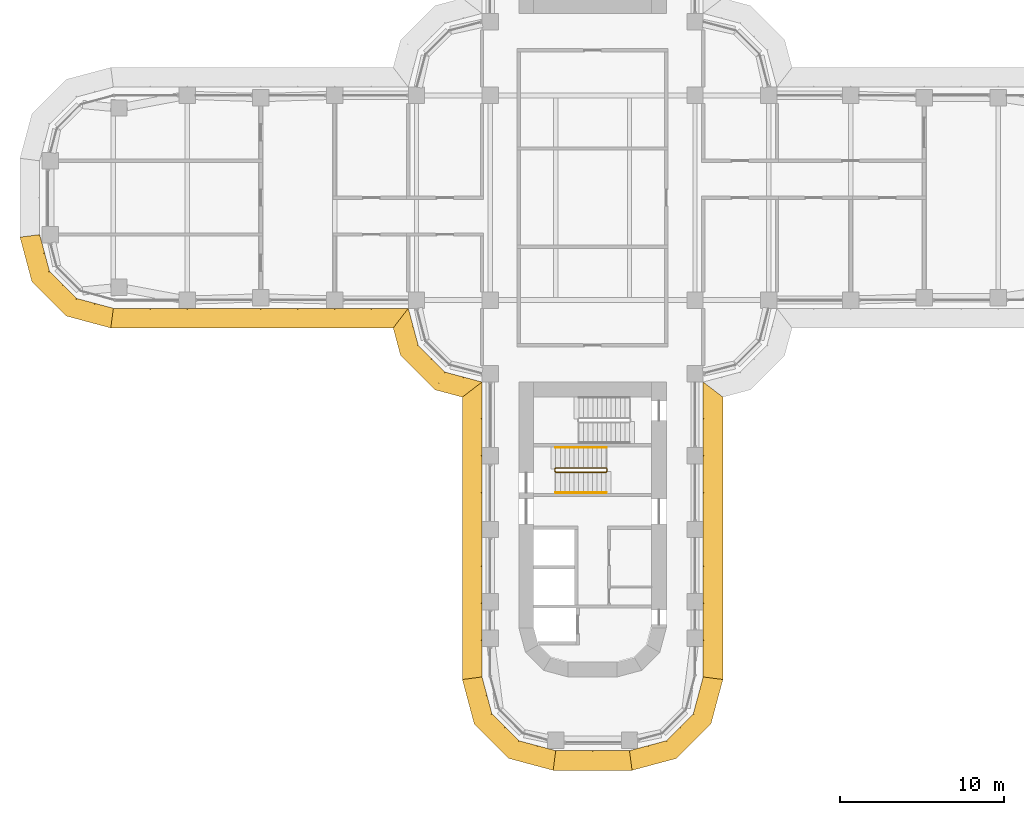
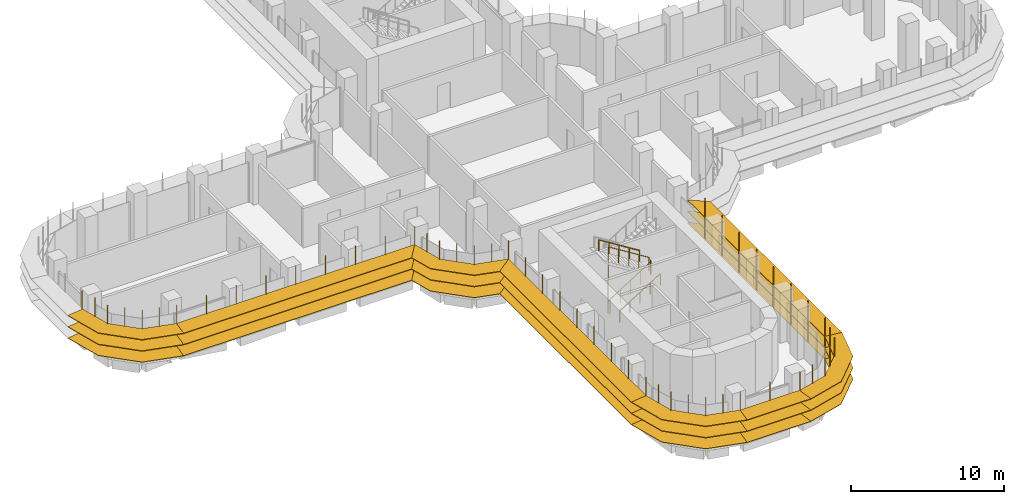
# One storey, part 20 of 23: 8 shading devices, 3 railings.
"""IFC4 building model written with IfcOpenShell, lengths in metres."""

from ifc_helpers import new_model, si_unit, direction, frame, origin, origin_2d, place, context, subcontext, project, spatial, polyline, circle, outline, extrude, faceted_brep, source, transform, mapped, material, type_object, element, save


model = new_model("IFC4")

# Units and contexts
model_context = context("Model", 3, precision=1e-05, world=origin(), true_north=direction((0.0, 1.0)))
body_context = subcontext(model_context, "Body", "Model", "MODEL_VIEW")
ifc_project = project(units=[si_unit("LENGTHUNIT", "METRE"), si_unit("AREAUNIT", "SQUARE_METRE"), si_unit("VOLUMEUNIT", "CUBIC_METRE"), si_unit("PLANEANGLEUNIT", "RADIAN"), si_unit("MASSUNIT", "GRAM", prefix="KILO")], contexts=[model_context])

# Site, building, storey
site_placement = place(None, origin())
site = spatial("IfcSite", under=ifc_project, at=site_placement, CompositionType="ELEMENT")
building_placement = place(site_placement, origin())
building = spatial("IfcBuilding", under=site, at=building_placement, Name="Zarbagh Exchange Tower", CompositionType="ELEMENT")
storey_placement = place(building_placement, frame((0.0, 0.0, 31.199951171875)))
storey = spatial("IfcBuildingStorey", under=building, at=storey_placement, Name="L06", CompositionType="ELEMENT", Elevation=31.199951171875)

# Railings
ifc_material_1 = material(Name="Stainless steel", Category="steel")
railing_type_1 = type_object("IfcRailingType", Name="Stair guard 1100 mm", PredefinedType="GUARDRAIL", material=ifc_material_1)
railing_1_placement = place(storey_placement, frame((0.830078125, -16.5, 2.275146484375)))
element("IfcRailing", 1, at=railing_1_placement, inside=storey, type_object=railing_type_1, Name="ST3 stair guard 1", PredefinedType="GUARDRAIL", context=body_context, shape_type="SweptSolid", body=[
    extrude(circle(Radius=0.02392578125, at=origin_2d()), frame((0.0, 0.0, 1.076171875), z_axis=(-0.848028513186, 0.0, 0.529950602248), x_axis=(0.0, -1.0, 0.0)), (0.0, 0.0, 1.0), 3.632080078125),
    extrude(circle(Radius=0.02392578125, at=origin_2d()), frame((-3.080078125, 0.0, 3.0009765625), z_axis=(-0.011914834358, -0.011914834358, -0.999858026644), x_axis=(0.707106781187, -0.707106781187, 0.0)), (0.0, 0.0, 1.0), 4.200439453125),
    extrude(circle(Radius=0.02392578125, at=origin_2d()), frame((-3.130126953125, -0.050048828125, -1.19921875), z_axis=(0.0, -1.0, 0.0), x_axis=(1.0, 0.0, 0.0)), (0.0, 0.0, 1.0), 0.14990234375),
    extrude(circle(Radius=0.02392578125, at=origin_2d()), frame((-3.130126953125, -0.199951171875, -1.19921875), z_axis=(0.265065253269, -0.265065253269, 0.927081885822), x_axis=(0.707106781187, 0.707106781187, 0.0)), (0.0, 0.0, 1.0), 0.188720703125),
    extrude(circle(Radius=0.02392578125, at=origin_2d()), frame((-3.080078125, -0.25, -1.02392578125), z_axis=(0.847998304005, 0.0, 0.529998940003), x_axis=(0.0, 1.0, 0.0)), (0.0, 0.0, 1.0), 3.632080078125),
    extrude(circle(Radius=0.02392578125, at=origin_2d()), frame((0.0, -0.25, 0.90087890625), z_axis=(0.705375805398, 0.708833529934, 0.0), x_axis=(-0.708833529934, 0.705375805398, 0.0)), (0.0, 0.0, 1.0), 0.070556640625),
    extrude(circle(Radius=0.02392578125, at=origin_2d()), frame((0.0498046875, -0.199951171875, 0.90087890625), z_axis=(0.0, 1.0, 0.0), x_axis=(-1.0, 0.0, 0.0)), (0.0, 0.0, 1.0), 0.14990234375),
    extrude(circle(Radius=0.02099609375, at=origin_2d()), origin(), (0.0, 0.0, 1.0), 1.052001953125),
    extrude(circle(Radius=0.02099609375, at=origin_2d()), frame((-0.77001953125, 0.0, 0.481201171875)), (0.0, 0.0, 1.0), 1.052001953125),
    extrude(circle(Radius=0.02099609375, at=origin_2d()), frame((-1.5400390625, 0.0, 0.96240234375)), (0.0, 0.0, 1.0), 1.052001953125),
    extrude(circle(Radius=0.02099609375, at=origin_2d()), frame((-2.31005859375, 0.0, 1.443603515625)), (0.0, 0.0, 1.0), 1.052001953125),
    extrude(circle(Radius=0.02099609375, at=origin_2d()), frame((-3.080078125, 0.0, 1.9248046875)), (0.0, 0.0, 1.0), 1.052001953125),
    extrude(circle(Radius=0.02099609375, at=origin_2d()), frame((-3.092529296875, -0.012451171875, 0.874755859375)), (0.0, 0.0, 1.0), 1.052001953125),
    extrude(circle(Radius=0.02099609375, at=origin_2d()), frame((-3.10498046875, -0.02490234375, -0.17529296875)), (0.0, 0.0, 1.0), 1.052001953125),
    extrude(circle(Radius=0.02099609375, at=origin_2d()), frame((-3.11767578125, -0.03759765625, -1.22509765625)), (0.0, 0.0, 1.0), 1.052001953125),
    extrude(circle(Radius=0.02099609375, at=origin_2d()), frame((-3.130126953125, -0.050048828125, -2.275146484375)), (0.0, 0.0, 1.0), 1.052001953125),
    extrude(circle(Radius=0.02099609375, at=origin_2d()), frame((-3.130126953125, -0.199951171875, -2.275146484375)), (0.0, 0.0, 1.0), 1.052001953125),
    extrude(circle(Radius=0.02099609375, at=origin_2d()), frame((-3.080078125, -0.25, -2.10009765625)), (0.0, 0.0, 1.0), 1.052001953125),
    extrude(circle(Radius=0.02099609375, at=origin_2d()), frame((-2.31005859375, -0.25, -1.618896484375)), (0.0, 0.0, 1.0), 1.052001953125),
    extrude(circle(Radius=0.02099609375, at=origin_2d()), frame((-1.5400390625, -0.25, -1.1376953125)), (0.0, 0.0, 1.0), 1.052001953125),
    extrude(circle(Radius=0.02099609375, at=origin_2d()), frame((-0.77001953125, -0.25, -0.65625)), (0.0, 0.0, 1.0), 1.052001953125),
    extrude(circle(Radius=0.02099609375, at=origin_2d()), frame((0.0, -0.25, -0.175048828125)), (0.0, 0.0, 1.0), 1.052001953125),
    extrude(circle(Radius=0.02099609375, at=origin_2d()), frame((0.0498046875, -0.199951171875, -0.175048828125)), (0.0, 0.0, 1.0), 1.052001953125),
    extrude(circle(Radius=0.02099609375, at=origin_2d()), frame((0.0498046875, -0.050048828125, -0.175048828125)), (0.0, 0.0, 1.0), 1.052001953125),
])
railing_type_2 = type_object("IfcRailingType", Name="Stair handrail 900 mm", PredefinedType="HANDRAIL", material=ifc_material_1)
railing_2_placement = place(storey_placement, frame((-2.25, -18.0, 0.175048828125)))
element("IfcRailing", 2, at=railing_2_placement, inside=storey, type_object=railing_type_2, Name="ST3 stair handrail 1", PredefinedType="HANDRAIL", context=body_context, shape_type="SweptSolid", body=[
    extrude(circle(Radius=0.02392578125, at=origin_2d()), frame((0.0, 0.0, 0.8759765625), z_axis=(0.847998304005, 0.0, 0.529998940003), x_axis=(0.0, 1.0, 0.0)), (0.0, 0.0, 1.0), 3.632080078125),
    extrude(circle(Radius=0.02099609375, at=origin_2d()), origin(), (0.0, 0.0, 1.0), 0.851806640625),
    extrude(circle(Radius=0.02099609375, at=origin_2d()), frame((0.77001953125, 0.0, 0.481201171875)), (0.0, 0.0, 1.0), 0.851806640625),
    extrude(circle(Radius=0.02099609375, at=origin_2d()), frame((1.5400390625, 0.0, 0.96240234375)), (0.0, 0.0, 1.0), 0.851806640625),
    extrude(circle(Radius=0.02099609375, at=origin_2d()), frame((2.31005859375, 0.0, 1.44384765625)), (0.0, 0.0, 1.0), 0.851806640625),
    extrude(circle(Radius=0.02099609375, at=origin_2d()), frame((3.080078125, 0.0, 1.925048828125)), (0.0, 0.0, 1.0), 0.851806640625),
])
railing_3_placement = place(storey_placement, frame((0.830078125, -15.25, 2.275146484375)))
element("IfcRailing", 3, at=railing_3_placement, inside=storey, type_object=railing_type_2, Name="ST3 stair handrail 2", PredefinedType="HANDRAIL", context=body_context, shape_type="SweptSolid", body=[
    extrude(circle(Radius=0.02392578125, at=origin_2d()), frame((0.0, 0.0, 0.8759765625), z_axis=(-0.848028513186, 0.0, 0.529950602248), x_axis=(0.0, -1.0, 0.0)), (0.0, 0.0, 1.0), 3.632080078125),
    extrude(circle(Radius=0.02099609375, at=origin_2d()), origin(), (0.0, 0.0, 1.0), 0.851806640625),
    extrude(circle(Radius=0.02099609375, at=origin_2d()), frame((-0.77001953125, 0.0, 0.481201171875)), (0.0, 0.0, 1.0), 0.851806640625),
    extrude(circle(Radius=0.02099609375, at=origin_2d()), frame((-1.5400390625, 0.0, 0.96240234375)), (0.0, 0.0, 1.0), 0.851806640625),
    extrude(circle(Radius=0.02099609375, at=origin_2d()), frame((-2.31005859375, 0.0, 1.443603515625)), (0.0, 0.0, 1.0), 0.851806640625),
    extrude(circle(Radius=0.02099609375, at=origin_2d()), frame((-3.080078125, 0.0, 1.9248046875)), (0.0, 0.0, 1.0), 0.851806640625),
])

# Shading devices
ifc_material_2 = material(Name="Anodised aluminium blades and brackets", Category="aluminium")
shading_device_type = type_object("IfcShadingDeviceType", Name="SUNSHADE louvre band, 0 degree blades", PredefinedType="JALOUSIE", material=ifc_material_2)
shared_shape_1 = source(origin(), body_context, "Body", "Brep", [
    faceted_brep([(0.0, 0.0, 0.0), (0.0, 0.0, -0.0400390625), (-0.157958984375, -1.199951171875, -0.0400390625), (-0.157958984375, -1.199951171875, 0.0), (2.65087890625, -1.199951171875, 0.0), (2.65087890625, -1.199951171875, -0.0400390625), (2.329345703125, 0.0, -0.0400390625), (2.329345703125, 0.0, 0.0)], [[[0, 1, 2, 3]], [[4, 5, 6, 7]], [[0, 7, 6, 1]], [[1, 6, 5, 2]], [[2, 5, 4, 3]], [[3, 4, 7, 0]]]),
])
shared_shape_2 = source(origin(), body_context, "Body", "Brep", [
    faceted_brep([(0.0, 0.0, 0.0), (0.0, 0.0, -0.0400390625), (-0.321533203125, -1.199951171875, -0.0400390625), (-0.321533203125, -1.199951171875, 0.0), (2.65087890625, -1.199951171875, 0.0), (2.65087890625, -1.199951171875, -0.0400390625), (2.329345703125, 0.0, -0.0400390625), (2.329345703125, 0.0, 0.0)], [[[0, 1, 2, 3]], [[4, 5, 6, 7]], [[0, 7, 6, 1]], [[1, 6, 5, 2]], [[2, 5, 4, 3]], [[3, 4, 7, 0]]]),
])
shared_shape_3 = source(origin(), body_context, "Body", "Brep", [
    faceted_brep([(0.0, 0.0, 0.0), (0.0, 0.0, -0.0400390625), (-0.321533203125, -1.199951171875, -0.0400390625), (-0.321533203125, -1.199951171875, 0.0), (2.4873046875, -1.199951171875, 0.0), (2.4873046875, -1.199951171875, -0.0400390625), (2.329345703125, 0.0, -0.0400390625), (2.329345703125, 0.0, 0.0)], [[[0, 1, 2, 3]], [[4, 5, 6, 7]], [[0, 7, 6, 1]], [[1, 6, 5, 2]], [[2, 5, 4, 3]], [[3, 4, 7, 0]]]),
])
shared_shape_4 = source(origin(), body_context, "Body", "SweptSolid", [
    extrude(outline(polyline([(0.0, -0.012451171875), (0.06005859375, -0.012451171875), (0.06005859375, 0.012451171875), (0.0, 0.012451171875), (0.0, -0.012451171875)])), origin(), (0.0, 0.0, 1.0), 3.35009765625),
])
placement = place(storey_placement, origin())
element("IfcShadingDevice", 4, at=placement, inside=storey, type_object=shading_device_type, Name="SS01 sunshade band", PredefinedType="JALOUSIE", context=body_context, shape_type="MappedRepresentation", body=[
    mapped(shared_shape_1, transform((2.25, -33.75, 2.699951171875), x_axis=(0.965924289636, 0.258824779902, 0.0), y_axis=(-0.258824779902, 0.965924289636, 0.0), z_axis=(0.0, 0.0, 1.0))),
    mapped(shared_shape_1, transform((2.25, -33.75, 1.800048828125), x_axis=(0.965924289636, 0.258824779902, 0.0), y_axis=(-0.258824779902, 0.965924289636, 0.0), z_axis=(0.0, 0.0, 1.0))),
    mapped(shared_shape_1, transform((2.25, -33.75, 0.900146484375), x_axis=(0.965924289636, 0.258824779902, 0.0), y_axis=(-0.258824779902, 0.965924289636, 0.0), z_axis=(0.0, 0.0, 1.0))),
    mapped(shared_shape_2, transform((4.5, -33.147216796875, 2.699951171875), x_axis=(0.707106781187, 0.707106781187, 0.0), y_axis=(-0.707106781187, 0.707106781187, 0.0), z_axis=(0.0, 0.0, 1.0))),
    mapped(shared_shape_2, transform((4.5, -33.147216796875, 1.800048828125), x_axis=(0.707106781187, 0.707106781187, 0.0), y_axis=(-0.707106781187, 0.707106781187, 0.0), z_axis=(0.0, 0.0, 1.0))),
    mapped(shared_shape_2, transform((4.5, -33.147216796875, 0.900146484375), x_axis=(0.707106781187, 0.707106781187, 0.0), y_axis=(-0.707106781187, 0.707106781187, 0.0), z_axis=(0.0, 0.0, 1.0))),
    mapped(shared_shape_3, transform((6.147216796875, -31.5, 2.699951171875), x_axis=(0.258824779902, 0.965924289636, 0.0), y_axis=(-0.965924289636, 0.258824779902, 0.0), z_axis=(0.0, 0.0, 1.0))),
    mapped(shared_shape_3, transform((6.147216796875, -31.5, 1.800048828125), x_axis=(0.258824779902, 0.965924289636, 0.0), y_axis=(-0.965924289636, 0.258824779902, 0.0), z_axis=(0.0, 0.0, 1.0))),
    mapped(shared_shape_3, transform((6.147216796875, -31.5, 0.900146484375), x_axis=(0.258824779902, 0.965924289636, 0.0), y_axis=(-0.965924289636, 0.258824779902, 0.0), z_axis=(0.0, 0.0, 1.0))),
    mapped(shared_shape_4, transform((2.25, -33.75, 0.830078125), x_axis=(0.130529263012, -0.991444457092, 0.0), y_axis=(0.991444457092, 0.130529263012, 0.0), z_axis=(0.0, 0.0, 1.0))),
    mapped(shared_shape_4, transform((3.375, -33.448486328125, 0.830078125), x_axis=(0.258825058029, -0.96592421511, 0.0), y_axis=(0.96592421511, 0.258825058029, 0.0), z_axis=(0.0, 0.0, 1.0))),
    mapped(shared_shape_4, transform((4.5, -33.147216796875, 0.830078125), x_axis=(0.50000275701, -0.866023812018, 0.0), y_axis=(0.866023812018, 0.50000275701, 0.0), z_axis=(0.0, 0.0, 1.0))),
    mapped(shared_shape_4, transform((5.323486328125, -32.323486328125, 0.830078125), x_axis=(0.707106781187, -0.707106781187, 0.0), y_axis=(0.707106781187, 0.707106781187, 0.0), z_axis=(0.0, 0.0, 1.0))),
    mapped(shared_shape_4, transform((6.147216796875, -31.5, 0.830078125), x_axis=(0.866023812018, -0.50000275701, 0.0), y_axis=(0.50000275701, 0.866023812018, 0.0), z_axis=(0.0, 0.0, 1.0))),
    mapped(shared_shape_4, transform((6.448486328125, -30.375, 0.830078125), x_axis=(0.96592421511, -0.258825058029, 0.0), y_axis=(0.258825058029, 0.96592421511, 0.0), z_axis=(0.0, 0.0, 1.0))),
])
element("IfcShadingDevice", 5, at=placement, inside=storey, type_object=shading_device_type, Name="SS19 sunshade band", PredefinedType="JALOUSIE", context=body_context, shape_type="MappedRepresentation", body=[
    mapped(shared_shape_1, transform((-33.75, -2.25, 2.699951171875), x_axis=(0.258824779902, -0.965924289636, 0.0), y_axis=(0.965924289636, 0.258824779902, 0.0), z_axis=(0.0, 0.0, 1.0))),
    mapped(shared_shape_1, transform((-33.75, -2.25, 1.800048828125), x_axis=(0.258824779902, -0.965924289636, 0.0), y_axis=(0.965924289636, 0.258824779902, 0.0), z_axis=(0.0, 0.0, 1.0))),
    mapped(shared_shape_1, transform((-33.75, -2.25, 0.900146484375), x_axis=(0.258824779902, -0.965924289636, 0.0), y_axis=(0.965924289636, 0.258824779902, 0.0), z_axis=(0.0, 0.0, 1.0))),
    mapped(shared_shape_2, transform((-33.147216796875, -4.5, 2.699951171875), x_axis=(0.707106781187, -0.707106781187, 0.0), y_axis=(0.707106781187, 0.707106781187, 0.0), z_axis=(0.0, 0.0, 1.0))),
    mapped(shared_shape_2, transform((-33.147216796875, -4.5, 1.800048828125), x_axis=(0.707106781187, -0.707106781187, 0.0), y_axis=(0.707106781187, 0.707106781187, 0.0), z_axis=(0.0, 0.0, 1.0))),
    mapped(shared_shape_2, transform((-33.147216796875, -4.5, 0.900146484375), x_axis=(0.707106781187, -0.707106781187, 0.0), y_axis=(0.707106781187, 0.707106781187, 0.0), z_axis=(0.0, 0.0, 1.0))),
    mapped(shared_shape_3, transform((-31.5, -6.147216796875, 2.699951171875), x_axis=(0.965924289636, -0.258824779902, 0.0), y_axis=(0.258824779902, 0.965924289636, 0.0), z_axis=(0.0, 0.0, 1.0))),
    mapped(shared_shape_3, transform((-31.5, -6.147216796875, 1.800048828125), x_axis=(0.965924289636, -0.258824779902, 0.0), y_axis=(0.258824779902, 0.965924289636, 0.0), z_axis=(0.0, 0.0, 1.0))),
    mapped(shared_shape_3, transform((-31.5, -6.147216796875, 0.900146484375), x_axis=(0.965924289636, -0.258824779902, 0.0), y_axis=(0.258824779902, 0.965924289636, 0.0), z_axis=(0.0, 0.0, 1.0))),
    mapped(shared_shape_4, transform((-33.75, -2.25, 0.830078125), x_axis=(-0.991444457092, -0.130529263012, 0.0), y_axis=(0.130529263012, -0.991444457092, 0.0), z_axis=(0.0, 0.0, 1.0))),
    mapped(shared_shape_4, transform((-33.448486328125, -3.375, 0.830078125), x_axis=(-0.96592421511, -0.258825058029, 0.0), y_axis=(0.258825058029, -0.96592421511, 0.0), z_axis=(0.0, 0.0, 1.0))),
    mapped(shared_shape_4, transform((-33.147216796875, -4.5, 0.830078125), x_axis=(-0.866023812018, -0.50000275701, 0.0), y_axis=(0.50000275701, -0.866023812018, 0.0), z_axis=(0.0, 0.0, 1.0))),
    mapped(shared_shape_4, transform((-32.323486328125, -5.323486328125, 0.830078125), x_axis=(-0.707106781187, -0.707106781187, 0.0), y_axis=(0.707106781187, -0.707106781187, 0.0), z_axis=(0.0, 0.0, 1.0))),
    mapped(shared_shape_4, transform((-31.5, -6.147216796875, 0.830078125), x_axis=(-0.50000275701, -0.866023812018, 0.0), y_axis=(0.866023812018, -0.50000275701, 0.0), z_axis=(0.0, 0.0, 1.0))),
    mapped(shared_shape_4, transform((-30.375, -6.448486328125, 0.830078125), x_axis=(-0.258825058029, -0.96592421511, 0.0), y_axis=(0.96592421511, -0.258825058029, 0.0), z_axis=(0.0, 0.0, 1.0))),
])
element("IfcShadingDevice", 6, at=placement, inside=storey, type_object=shading_device_type, Name="SS23 sunshade band", PredefinedType="JALOUSIE", context=body_context, shape_type="MappedRepresentation", body=[
    mapped(shared_shape_1, transform((-6.75, -29.25, 2.699951171875), x_axis=(0.258824779902, -0.965924289636, 0.0), y_axis=(0.965924289636, 0.258824779902, 0.0), z_axis=(0.0, 0.0, 1.0))),
    mapped(shared_shape_1, transform((-6.75, -29.25, 1.800048828125), x_axis=(0.258824779902, -0.965924289636, 0.0), y_axis=(0.965924289636, 0.258824779902, 0.0), z_axis=(0.0, 0.0, 1.0))),
    mapped(shared_shape_1, transform((-6.75, -29.25, 0.900146484375), x_axis=(0.258824779902, -0.965924289636, 0.0), y_axis=(0.965924289636, 0.258824779902, 0.0), z_axis=(0.0, 0.0, 1.0))),
    mapped(shared_shape_2, transform((-6.147216796875, -31.5, 2.699951171875), x_axis=(0.707106781187, -0.707106781187, 0.0), y_axis=(0.707106781187, 0.707106781187, 0.0), z_axis=(0.0, 0.0, 1.0))),
    mapped(shared_shape_2, transform((-6.147216796875, -31.5, 1.800048828125), x_axis=(0.707106781187, -0.707106781187, 0.0), y_axis=(0.707106781187, 0.707106781187, 0.0), z_axis=(0.0, 0.0, 1.0))),
    mapped(shared_shape_2, transform((-6.147216796875, -31.5, 0.900146484375), x_axis=(0.707106781187, -0.707106781187, 0.0), y_axis=(0.707106781187, 0.707106781187, 0.0), z_axis=(0.0, 0.0, 1.0))),
    mapped(shared_shape_3, transform((-4.5, -33.147216796875, 2.699951171875), x_axis=(0.965924289636, -0.258824779902, 0.0), y_axis=(0.258824779902, 0.965924289636, 0.0), z_axis=(0.0, 0.0, 1.0))),
    mapped(shared_shape_3, transform((-4.5, -33.147216796875, 1.800048828125), x_axis=(0.965924289636, -0.258824779902, 0.0), y_axis=(0.258824779902, 0.965924289636, 0.0), z_axis=(0.0, 0.0, 1.0))),
    mapped(shared_shape_3, transform((-4.5, -33.147216796875, 0.900146484375), x_axis=(0.965924289636, -0.258824779902, 0.0), y_axis=(0.258824779902, 0.965924289636, 0.0), z_axis=(0.0, 0.0, 1.0))),
    mapped(shared_shape_4, transform((-6.75, -29.25, 0.830078125), x_axis=(-0.991444457092, -0.130529263012, 0.0), y_axis=(0.130529263012, -0.991444457092, 0.0), z_axis=(0.0, 0.0, 1.0))),
    mapped(shared_shape_4, transform((-6.448486328125, -30.375, 0.830078125), x_axis=(-0.96592421511, -0.258825058029, 0.0), y_axis=(0.258825058029, -0.96592421511, 0.0), z_axis=(0.0, 0.0, 1.0))),
    mapped(shared_shape_4, transform((-6.147216796875, -31.5, 0.830078125), x_axis=(-0.866023812018, -0.50000275701, 0.0), y_axis=(0.50000275701, -0.866023812018, 0.0), z_axis=(0.0, 0.0, 1.0))),
    mapped(shared_shape_4, transform((-5.323486328125, -32.323486328125, 0.830078125), x_axis=(-0.707106781187, -0.707106781187, 0.0), y_axis=(0.707106781187, -0.707106781187, 0.0), z_axis=(0.0, 0.0, 1.0))),
    mapped(shared_shape_4, transform((-4.5, -33.147216796875, 0.830078125), x_axis=(-0.50000275701, -0.866023812018, 0.0), y_axis=(0.866023812018, -0.50000275701, 0.0), z_axis=(0.0, 0.0, 1.0))),
    mapped(shared_shape_4, transform((-3.375, -33.448486328125, 0.830078125), x_axis=(-0.258825058029, -0.96592421511, 0.0), y_axis=(0.96592421511, -0.258825058029, 0.0), z_axis=(0.0, 0.0, 1.0))),
])
shared_shape_5 = source(origin(), body_context, "Body", "Brep", [
    faceted_brep([(0.0, 0.0, 0.0), (0.0, 0.0, -0.0400390625), (0.9208984375, -1.199951171875, -0.0400390625), (0.9208984375, -1.199951171875, 0.0), (2.65087890625, -1.199951171875, 0.0), (2.65087890625, -1.199951171875, -0.0400390625), (2.329345703125, 0.0, -0.0400390625), (2.329345703125, 0.0, 0.0)], [[[0, 1, 2, 3]], [[4, 5, 6, 7]], [[0, 7, 6, 1]], [[1, 6, 5, 2]], [[2, 5, 4, 3]], [[3, 4, 7, 0]]]),
])
shared_shape_6 = source(origin(), body_context, "Body", "Brep", [
    faceted_brep([(0.0, 0.0, 0.0), (0.0, 0.0, -0.0400390625), (-0.321533203125, -1.199951171875, -0.0400390625), (-0.321533203125, -1.199951171875, 0.0), (1.40869140625, -1.199951171875, 0.0), (1.40869140625, -1.199951171875, -0.0400390625), (2.329345703125, 0.0, -0.0400390625), (2.329345703125, 0.0, 0.0)], [[[0, 1, 2, 3]], [[4, 5, 6, 7]], [[0, 7, 6, 1]], [[1, 6, 5, 2]], [[2, 5, 4, 3]], [[3, 4, 7, 0]]]),
])
element("IfcShadingDevice", 7, at=placement, inside=storey, type_object=shading_device_type, Name="SS21 sunshade band", PredefinedType="JALOUSIE", context=body_context, shape_type="MappedRepresentation", body=[
    mapped(shared_shape_5, transform((-11.25, -6.75, 2.699951171875), x_axis=(0.258824779902, -0.965924289636, 0.0), y_axis=(0.965924289636, 0.258824779902, 0.0), z_axis=(0.0, 0.0, 1.0))),
    mapped(shared_shape_5, transform((-11.25, -6.75, 1.800048828125), x_axis=(0.258824779902, -0.965924289636, 0.0), y_axis=(0.965924289636, 0.258824779902, 0.0), z_axis=(0.0, 0.0, 1.0))),
    mapped(shared_shape_5, transform((-11.25, -6.75, 0.900146484375), x_axis=(0.258824779902, -0.965924289636, 0.0), y_axis=(0.965924289636, 0.258824779902, 0.0), z_axis=(0.0, 0.0, 1.0))),
    mapped(shared_shape_2, transform((-10.647216796875, -9.0, 2.699951171875), x_axis=(0.707106781187, -0.707106781187, 0.0), y_axis=(0.707106781187, 0.707106781187, 0.0), z_axis=(0.0, 0.0, 1.0))),
    mapped(shared_shape_2, transform((-10.647216796875, -9.0, 1.800048828125), x_axis=(0.707106781187, -0.707106781187, 0.0), y_axis=(0.707106781187, 0.707106781187, 0.0), z_axis=(0.0, 0.0, 1.0))),
    mapped(shared_shape_2, transform((-10.647216796875, -9.0, 0.900146484375), x_axis=(0.707106781187, -0.707106781187, 0.0), y_axis=(0.707106781187, 0.707106781187, 0.0), z_axis=(0.0, 0.0, 1.0))),
    mapped(shared_shape_6, transform((-9.0, -10.647216796875, 2.699951171875), x_axis=(0.965924289636, -0.258824779902, 0.0), y_axis=(0.258824779902, 0.965924289636, 0.0), z_axis=(0.0, 0.0, 1.0))),
    mapped(shared_shape_6, transform((-9.0, -10.647216796875, 1.800048828125), x_axis=(0.965924289636, -0.258824779902, 0.0), y_axis=(0.258824779902, 0.965924289636, 0.0), z_axis=(0.0, 0.0, 1.0))),
    mapped(shared_shape_6, transform((-9.0, -10.647216796875, 0.900146484375), x_axis=(0.965924289636, -0.258824779902, 0.0), y_axis=(0.258824779902, 0.965924289636, 0.0), z_axis=(0.0, 0.0, 1.0))),
    mapped(shared_shape_4, transform((-11.25, -6.75, 0.830078125), x_axis=(-0.608758892, -0.793355287, 0.0), y_axis=(0.793355287, -0.608758892, 0.0), z_axis=(0.0, 0.0, 1.0))),
    mapped(shared_shape_4, transform((-10.948486328125, -7.875, 0.830078125), x_axis=(-0.96592421511, -0.258825058029, 0.0), y_axis=(0.258825058029, -0.96592421511, 0.0), z_axis=(0.0, 0.0, 1.0))),
    mapped(shared_shape_4, transform((-10.647216796875, -9.0, 0.830078125), x_axis=(-0.866023812018, -0.50000275701, 0.0), y_axis=(0.50000275701, -0.866023812018, 0.0), z_axis=(0.0, 0.0, 1.0))),
    mapped(shared_shape_4, transform((-9.823486328125, -9.823486328125, 0.830078125), x_axis=(-0.707106781187, -0.707106781187, 0.0), y_axis=(0.707106781187, -0.707106781187, 0.0), z_axis=(0.0, 0.0, 1.0))),
    mapped(shared_shape_4, transform((-9.0, -10.647216796875, 0.830078125), x_axis=(-0.50000275701, -0.866023812018, 0.0), y_axis=(0.866023812018, -0.50000275701, 0.0), z_axis=(0.0, 0.0, 1.0))),
    mapped(shared_shape_4, transform((-7.875, -10.948486328125, 0.830078125), x_axis=(-0.258825058029, -0.96592421511, 0.0), y_axis=(0.96592421511, -0.258825058029, 0.0), z_axis=(0.0, 0.0, 1.0))),
])
shared_shape_7 = source(origin(), body_context, "Body", "Brep", [
    faceted_brep([(0.0, 0.0, 0.0), (0.0, 0.0, -0.0400390625), (-0.157958984375, -1.199951171875, -0.0400390625), (-0.157958984375, -1.199951171875, 0.0), (17.0791015625, -1.199951171875, 0.0), (17.0791015625, -1.199951171875, -0.0400390625), (18.0, 0.0, -0.0400390625), (18.0, 0.0, 0.0)], [[[0, 1, 2, 3]], [[4, 5, 6, 7]], [[0, 7, 6, 1]], [[1, 6, 5, 2]], [[2, 5, 4, 3]], [[3, 4, 7, 0]]]),
])
element("IfcShadingDevice", 8, at=placement, inside=storey, type_object=shading_device_type, Name="SS02 sunshade band", PredefinedType="JALOUSIE", context=body_context, shape_type="MappedRepresentation", body=[
    mapped(shared_shape_7, transform((6.75, -29.25, 2.699951171875), x_axis=(0.0, 1.0, 0.0), y_axis=(-1.0, 0.0, 0.0), z_axis=(0.0, 0.0, 1.0))),
    mapped(shared_shape_7, transform((6.75, -29.25, 1.800048828125), x_axis=(0.0, 1.0, 0.0), y_axis=(-1.0, 0.0, 0.0), z_axis=(0.0, 0.0, 1.0))),
    mapped(shared_shape_7, transform((6.75, -29.25, 0.900146484375), x_axis=(0.0, 1.0, 0.0), y_axis=(-1.0, 0.0, 0.0), z_axis=(0.0, 0.0, 1.0))),
    mapped(shared_shape_4, transform((6.75, -29.25, 0.830078125), x_axis=(0.991444457092, -0.130529263012, 0.0), y_axis=(0.130529263012, 0.991444457092, 0.0), z_axis=(0.0, 0.0, 1.0))),
    mapped(shared_shape_4, transform((6.75, -27.0, 0.830078125), x_axis=(1.0, 0.0, 0.0), y_axis=(0.0, 1.0, 0.0), z_axis=(0.0, 0.0, 1.0))),
    mapped(shared_shape_4, transform((6.75, -24.75, 0.830078125), x_axis=(1.0, 0.0, 0.0), y_axis=(0.0, 1.0, 0.0), z_axis=(0.0, 0.0, 1.0))),
    mapped(shared_shape_4, transform((6.75, -22.5, 0.830078125), x_axis=(1.0, 0.0, 0.0), y_axis=(0.0, 1.0, 0.0), z_axis=(0.0, 0.0, 1.0))),
    mapped(shared_shape_4, transform((6.75, -20.25, 0.830078125), x_axis=(1.0, 0.0, 0.0), y_axis=(0.0, 1.0, 0.0), z_axis=(0.0, 0.0, 1.0))),
    mapped(shared_shape_4, transform((6.75, -18.0, 0.830078125), x_axis=(1.0, 0.0, 0.0), y_axis=(0.0, 1.0, 0.0), z_axis=(0.0, 0.0, 1.0))),
    mapped(shared_shape_4, transform((6.75, -15.75, 0.830078125), x_axis=(1.0, 0.0, 0.0), y_axis=(0.0, 1.0, 0.0), z_axis=(0.0, 0.0, 1.0))),
    mapped(shared_shape_4, transform((6.75, -13.5, 0.830078125), x_axis=(1.0, 0.0, 0.0), y_axis=(0.0, 1.0, 0.0), z_axis=(0.0, 0.0, 1.0))),
])
element("IfcShadingDevice", 9, at=placement, inside=storey, type_object=shading_device_type, Name="SS20 sunshade band", PredefinedType="JALOUSIE", context=body_context, shape_type="MappedRepresentation", body=[
    mapped(shared_shape_7, transform((-29.25, -6.75, 2.699951171875), x_axis=(1.0, 0.0, 0.0), y_axis=(0.0, 1.0, 0.0), z_axis=(0.0, 0.0, 1.0))),
    mapped(shared_shape_7, transform((-29.25, -6.75, 1.800048828125), x_axis=(1.0, 0.0, 0.0), y_axis=(0.0, 1.0, 0.0), z_axis=(0.0, 0.0, 1.0))),
    mapped(shared_shape_7, transform((-29.25, -6.75, 0.900146484375), x_axis=(1.0, 0.0, 0.0), y_axis=(0.0, 1.0, 0.0), z_axis=(0.0, 0.0, 1.0))),
    mapped(shared_shape_4, transform((-29.25, -6.75, 0.830078125), x_axis=(-0.130529263012, -0.991444457092, 0.0), y_axis=(0.991444457092, -0.130529263012, 0.0), z_axis=(0.0, 0.0, 1.0))),
    mapped(shared_shape_4, transform((-27.0, -6.75, 0.830078125), x_axis=(0.0, -1.0, 0.0), y_axis=(1.0, 0.0, 0.0), z_axis=(0.0, 0.0, 1.0))),
    mapped(shared_shape_4, transform((-24.75, -6.75, 0.830078125), x_axis=(0.0, -1.0, 0.0), y_axis=(1.0, 0.0, 0.0), z_axis=(0.0, 0.0, 1.0))),
    mapped(shared_shape_4, transform((-22.5, -6.75, 0.830078125), x_axis=(0.0, -1.0, 0.0), y_axis=(1.0, 0.0, 0.0), z_axis=(0.0, 0.0, 1.0))),
    mapped(shared_shape_4, transform((-20.25, -6.75, 0.830078125), x_axis=(0.0, -1.0, 0.0), y_axis=(1.0, 0.0, 0.0), z_axis=(0.0, 0.0, 1.0))),
    mapped(shared_shape_4, transform((-18.0, -6.75, 0.830078125), x_axis=(0.0, -1.0, 0.0), y_axis=(1.0, 0.0, 0.0), z_axis=(0.0, 0.0, 1.0))),
    mapped(shared_shape_4, transform((-15.75, -6.75, 0.830078125), x_axis=(0.0, -1.0, 0.0), y_axis=(1.0, 0.0, 0.0), z_axis=(0.0, 0.0, 1.0))),
    mapped(shared_shape_4, transform((-13.5, -6.75, 0.830078125), x_axis=(0.0, -1.0, 0.0), y_axis=(1.0, 0.0, 0.0), z_axis=(0.0, 0.0, 1.0))),
])
shared_shape_8 = source(origin(), body_context, "Body", "Brep", [
    faceted_brep([(0.0, 0.0, 0.0), (0.0, 0.0, -0.0400390625), (0.9208984375, -1.199951171875, -0.0400390625), (0.9208984375, -1.199951171875, 0.0), (18.157958984375, -1.199951171875, 0.0), (18.157958984375, -1.199951171875, -0.0400390625), (18.0, 0.0, -0.0400390625), (18.0, 0.0, 0.0)], [[[0, 1, 2, 3]], [[4, 5, 6, 7]], [[0, 7, 6, 1]], [[1, 6, 5, 2]], [[2, 5, 4, 3]], [[3, 4, 7, 0]]]),
])
element("IfcShadingDevice", 10, at=placement, inside=storey, type_object=shading_device_type, Name="SS22 sunshade band", PredefinedType="JALOUSIE", context=body_context, shape_type="MappedRepresentation", body=[
    mapped(shared_shape_8, transform((-6.75, -11.25, 2.699951171875), x_axis=(0.0, -1.0, 0.0), y_axis=(1.0, 0.0, 0.0), z_axis=(0.0, 0.0, 1.0))),
    mapped(shared_shape_8, transform((-6.75, -11.25, 1.800048828125), x_axis=(0.0, -1.0, 0.0), y_axis=(1.0, 0.0, 0.0), z_axis=(0.0, 0.0, 1.0))),
    mapped(shared_shape_8, transform((-6.75, -11.25, 0.900146484375), x_axis=(0.0, -1.0, 0.0), y_axis=(1.0, 0.0, 0.0), z_axis=(0.0, 0.0, 1.0))),
    mapped(shared_shape_4, transform((-6.75, -11.25, 0.830078125), x_axis=(-0.793355287, -0.608758892, 0.0), y_axis=(0.608758892, -0.793355287, 0.0), z_axis=(0.0, 0.0, 1.0))),
    mapped(shared_shape_4, transform((-6.75, -13.5, 0.830078125), x_axis=(-1.0, 0.0, 0.0), y_axis=(0.0, -1.0, 0.0), z_axis=(0.0, 0.0, 1.0))),
    mapped(shared_shape_4, transform((-6.75, -15.75, 0.830078125), x_axis=(-1.0, 0.0, 0.0), y_axis=(0.0, -1.0, 0.0), z_axis=(0.0, 0.0, 1.0))),
    mapped(shared_shape_4, transform((-6.75, -18.0, 0.830078125), x_axis=(-1.0, 0.0, 0.0), y_axis=(0.0, -1.0, 0.0), z_axis=(0.0, 0.0, 1.0))),
    mapped(shared_shape_4, transform((-6.75, -20.25, 0.830078125), x_axis=(-1.0, 0.0, 0.0), y_axis=(0.0, -1.0, 0.0), z_axis=(0.0, 0.0, 1.0))),
    mapped(shared_shape_4, transform((-6.75, -22.5, 0.830078125), x_axis=(-1.0, 0.0, 0.0), y_axis=(0.0, -1.0, 0.0), z_axis=(0.0, 0.0, 1.0))),
    mapped(shared_shape_4, transform((-6.75, -24.75, 0.830078125), x_axis=(-1.0, 0.0, 0.0), y_axis=(0.0, -1.0, 0.0), z_axis=(0.0, 0.0, 1.0))),
    mapped(shared_shape_4, transform((-6.75, -27.0, 0.830078125), x_axis=(-1.0, 0.0, 0.0), y_axis=(0.0, -1.0, 0.0), z_axis=(0.0, 0.0, 1.0))),
])
shared_shape_9 = source(origin(), body_context, "Body", "Brep", [
    faceted_brep([(0.0, 0.0, 0.0), (0.0, 0.0, -0.0400390625), (-0.157958984375, -1.199951171875, -0.0400390625), (-0.157958984375, -1.199951171875, 0.0), (4.657958984375, -1.199951171875, 0.0), (4.657958984375, -1.199951171875, -0.0400390625), (4.5, 0.0, -0.0400390625), (4.5, 0.0, 0.0)], [[[0, 1, 2, 3]], [[4, 5, 6, 7]], [[0, 7, 6, 1]], [[1, 6, 5, 2]], [[2, 5, 4, 3]], [[3, 4, 7, 0]]]),
])
element("IfcShadingDevice", 11, at=placement, inside=storey, type_object=shading_device_type, Name="SS24 sunshade band", PredefinedType="JALOUSIE", context=body_context, shape_type="MappedRepresentation", body=[
    mapped(shared_shape_9, transform((-2.25, -33.75, 2.699951171875), x_axis=(1.0, 0.0, 0.0), y_axis=(0.0, 1.0, 0.0), z_axis=(0.0, 0.0, 1.0))),
    mapped(shared_shape_9, transform((-2.25, -33.75, 1.800048828125), x_axis=(1.0, 0.0, 0.0), y_axis=(0.0, 1.0, 0.0), z_axis=(0.0, 0.0, 1.0))),
    mapped(shared_shape_9, transform((-2.25, -33.75, 0.900146484375), x_axis=(1.0, 0.0, 0.0), y_axis=(0.0, 1.0, 0.0), z_axis=(0.0, 0.0, 1.0))),
    mapped(shared_shape_4, transform((-2.25, -33.75, 0.830078125), x_axis=(-0.130529263012, -0.991444457092, 0.0), y_axis=(0.991444457092, -0.130529263012, 0.0), z_axis=(0.0, 0.0, 1.0))),
    mapped(shared_shape_4, transform((0.0, -33.75, 0.830078125), x_axis=(0.0, -1.0, 0.0), y_axis=(1.0, 0.0, 0.0), z_axis=(0.0, 0.0, 1.0))),
])

save(model, "model.ifc")
